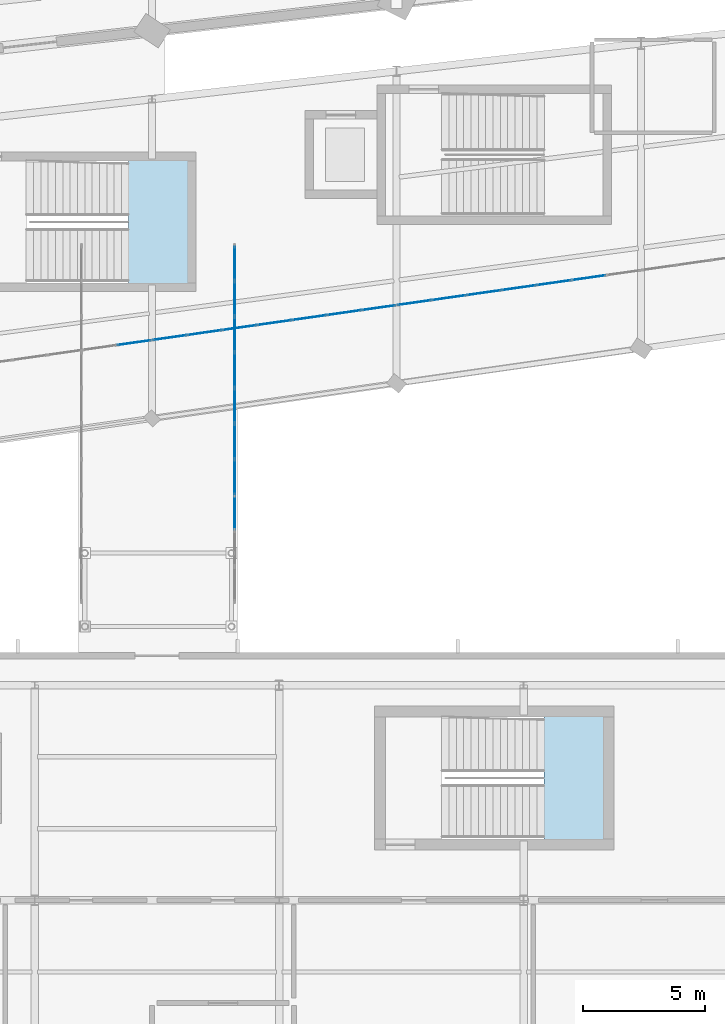
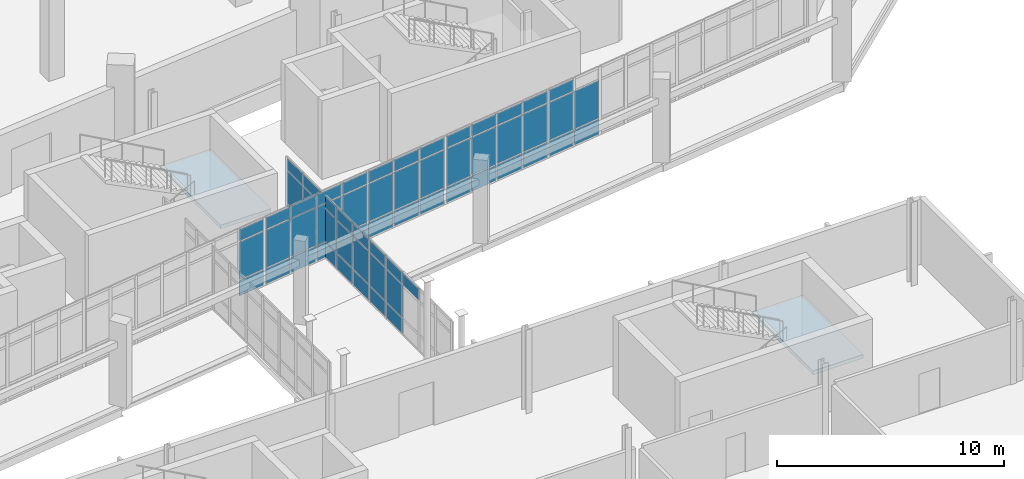
# One storey, part 90 of 122: 63 plates, 2 slabs, 6 elements without a shape of their own.
"""IFC4 building model written with IfcOpenShell, lengths in metres."""

from ifc_helpers import new_model, si_unit, direction, frame, origin, origin_2d, place, context, subcontext, project, spatial, polyline, rectangle, outline, extrude, material, layer, layer_set, type_object, element, aggregate, save


model = new_model("IFC4")

# Units and contexts
model_context = context("Model", 3, precision=1e-05, world=origin(), true_north=direction((0.0, 1.0)))
body_context = subcontext(model_context, "Body", "Model", "MODEL_VIEW")
ifc_project = project(units=[si_unit("LENGTHUNIT", "METRE"), si_unit("AREAUNIT", "SQUARE_METRE"), si_unit("VOLUMEUNIT", "CUBIC_METRE"), si_unit("PLANEANGLEUNIT", "RADIAN"), si_unit("MASSUNIT", "GRAM", prefix="KILO")], contexts=[model_context])

# Site, building, storey
site_placement = place(None, origin())
site = spatial("IfcSite", under=ifc_project, at=site_placement, CompositionType="ELEMENT")
building_placement = place(site_placement, origin())
building = spatial("IfcBuilding", under=site, at=building_placement, Name="Sohan Crest Arena", CompositionType="ELEMENT")
storey_placement = place(building_placement, origin())
storey = spatial("IfcBuildingStorey", under=building, at=storey_placement, Name="L00", CompositionType="ELEMENT", Elevation=0.0)

# Curtain wall, plates
ifc_material_1 = material(Name="Thermally broken anodised aluminium", Category="aluminium")
ifc_layer_1 = layer(ifc_material_1, 0.179931640625, Name="Thermally broken anodised aluminium")
ifc_layer_set_1 = layer_set([ifc_layer_1], Name="Thermally broken anodised aluminium")
curtain_wall_type_1 = type_object("IfcCurtainWallType", Name="ARC-CW01", PredefinedType="NOTDEFINED", material=ifc_layer_set_1)
curtain_wall_1_placement = place(storey_placement, origin())
curtain_wall_1 = element("IfcCurtainWall", 1, at=curtain_wall_1_placement, inside=storey, type_object=curtain_wall_type_1, Name="Unitised curtain wall CW-010", PredefinedType="NOTDEFINED")
ifc_material_2 = material(Name="Low-E double-glazed insulated glass", Category="glass")
ifc_layer_2 = layer(ifc_material_2, 0.028076171875, Name="Low-E double-glazed insulated glass")
ifc_layer_set_2 = layer_set([ifc_layer_2], Name="Low-E double-glazed insulated glass")
plate_type = type_object("IfcPlateType", Name="ARC-CNP01", PredefinedType="CURTAIN_PANEL", material=ifc_layer_set_2)
plate_1_placement = place(storey_placement, frame((137.270751953125, 38.809814453125, 0.06005859375), z_axis=(0.0, 0.0, 1.0), x_axis=(0.989957411768, 0.141365918403, 0.0)))
plate_1 = element("IfcPlate", 2, at=plate_1_placement, type_object=plate_type, Name="CW-010 panel 7.1", PredefinedType="CURTAIN_PANEL", context=body_context, shape_type="SweptSolid", body=[
    extrude(rectangle(XDim=1.35302734375, YDim=0.028076171875, at=origin_2d()), origin(), (0.0, 0.0, 1.0), 0.81005859375),
])
plate_2_placement = place(storey_placement, frame((137.270751953125, 38.809814453125, 0.929931640625), z_axis=(0.0, 0.0, 1.0), x_axis=(0.989957411768, 0.141365918403, 0.0)))
plate_2 = element("IfcPlate", 3, at=plate_2_placement, type_object=plate_type, Name="CW-010 panel 7.2", PredefinedType="CURTAIN_PANEL", context=body_context, shape_type="SweptSolid", body=[
    extrude(rectangle(XDim=1.35302734375, YDim=0.028076171875, at=origin_2d()), origin(), (0.0, 0.0, 1.0), 2.02001953125),
])
plate_3_placement = place(storey_placement, frame((137.270751953125, 38.809814453125, 3.009765625), z_axis=(0.0, 0.0, 1.0), x_axis=(0.989957411768, 0.141365918403, 0.0)))
plate_3 = element("IfcPlate", 4, at=plate_3_placement, type_object=plate_type, Name="CW-010 panel 7.3", PredefinedType="CURTAIN_PANEL", context=body_context, shape_type="SweptSolid", body=[
    extrude(rectangle(XDim=1.35302734375, YDim=0.028076171875, at=origin_2d()), origin(), (0.0, 0.0, 1.0), 0.610107421875),
])
aggregate(curtain_wall_1, [plate_1, plate_2, plate_3])

curtain_wall_2_placement = place(storey_placement, origin())
curtain_wall_2 = element("IfcCurtainWall", 5, at=curtain_wall_2_placement, inside=storey, type_object=curtain_wall_type_1, Name="Unitised curtain wall CW-011", PredefinedType="NOTDEFINED")
plate_4_placement = place(storey_placement, frame((138.729248046875, 39.018310546875, 0.06005859375), z_axis=(0.0, 0.0, 1.0), x_axis=(0.989943553128, 0.141462933734, 0.0)))
plate_4 = element("IfcPlate", 6, at=plate_4_placement, type_object=plate_type, Name="CW-011 panel 1.1", PredefinedType="CURTAIN_PANEL", context=body_context, shape_type="SweptSolid", body=[
    extrude(rectangle(XDim=1.35302734375, YDim=0.028076171875, at=origin_2d()), origin(), (0.0, 0.0, 1.0), 0.81005859375),
])
plate_5_placement = place(storey_placement, frame((138.729248046875, 39.018310546875, 0.929931640625), z_axis=(0.0, 0.0, 1.0), x_axis=(0.989943553128, 0.141462933734, 0.0)))
plate_5 = element("IfcPlate", 7, at=plate_5_placement, type_object=plate_type, Name="CW-011 panel 1.2", PredefinedType="CURTAIN_PANEL", context=body_context, shape_type="SweptSolid", body=[
    extrude(rectangle(XDim=1.35302734375, YDim=0.028076171875, at=origin_2d()), origin(), (0.0, 0.0, 1.0), 2.02001953125),
])
plate_6_placement = place(storey_placement, frame((138.729248046875, 39.018310546875, 3.009765625), z_axis=(0.0, 0.0, 1.0), x_axis=(0.989943553128, 0.141462933734, 0.0)))
plate_6 = element("IfcPlate", 8, at=plate_6_placement, type_object=plate_type, Name="CW-011 panel 1.3", PredefinedType="CURTAIN_PANEL", context=body_context, shape_type="SweptSolid", body=[
    extrude(rectangle(XDim=1.35302734375, YDim=0.028076171875, at=origin_2d()), origin(), (0.0, 0.0, 1.0), 0.610107421875),
])
plate_7_placement = place(storey_placement, frame((140.142822265625, 39.22021484375, 0.06005859375), z_axis=(0.0, 0.0, 1.0), x_axis=(0.989943553128, 0.141462933734, 0.0)))
plate_7 = element("IfcPlate", 9, at=plate_7_placement, type_object=plate_type, Name="CW-011 panel 2.1", PredefinedType="CURTAIN_PANEL", context=body_context, shape_type="SweptSolid", body=[
    extrude(rectangle(XDim=1.383056640625, YDim=0.028076171875, at=origin_2d()), origin(), (0.0, 0.0, 1.0), 0.81005859375),
])
plate_8_placement = place(storey_placement, frame((140.142822265625, 39.22021484375, 0.929931640625), z_axis=(0.0, 0.0, 1.0), x_axis=(0.989943553128, 0.141462933734, 0.0)))
plate_8 = element("IfcPlate", 10, at=plate_8_placement, type_object=plate_type, Name="CW-011 panel 2.2", PredefinedType="CURTAIN_PANEL", context=body_context, shape_type="SweptSolid", body=[
    extrude(rectangle(XDim=1.383056640625, YDim=0.028076171875, at=origin_2d()), origin(), (0.0, 0.0, 1.0), 2.02001953125),
])
plate_9_placement = place(storey_placement, frame((140.142822265625, 39.22021484375, 3.009765625), z_axis=(0.0, 0.0, 1.0), x_axis=(0.989943553128, 0.141462933734, 0.0)))
plate_9 = element("IfcPlate", 11, at=plate_9_placement, type_object=plate_type, Name="CW-011 panel 2.3", PredefinedType="CURTAIN_PANEL", context=body_context, shape_type="SweptSolid", body=[
    extrude(rectangle(XDim=1.383056640625, YDim=0.028076171875, at=origin_2d()), origin(), (0.0, 0.0, 1.0), 0.610107421875),
])
plate_10_placement = place(storey_placement, frame((141.571533203125, 39.42431640625, 0.06005859375), z_axis=(0.0, 0.0, 1.0), x_axis=(0.989943553128, 0.141462933734, 0.0)))
plate_10 = element("IfcPlate", 12, at=plate_10_placement, type_object=plate_type, Name="CW-011 panel 3.1", PredefinedType="CURTAIN_PANEL", context=body_context, shape_type="SweptSolid", body=[
    extrude(rectangle(XDim=1.383056640625, YDim=0.028076171875, at=origin_2d()), origin(), (0.0, 0.0, 1.0), 0.81005859375),
])
plate_11_placement = place(storey_placement, frame((141.571533203125, 39.42431640625, 0.929931640625), z_axis=(0.0, 0.0, 1.0), x_axis=(0.989943553128, 0.141462933734, 0.0)))
plate_11 = element("IfcPlate", 13, at=plate_11_placement, type_object=plate_type, Name="CW-011 panel 3.2", PredefinedType="CURTAIN_PANEL", context=body_context, shape_type="SweptSolid", body=[
    extrude(rectangle(XDim=1.383056640625, YDim=0.028076171875, at=origin_2d()), origin(), (0.0, 0.0, 1.0), 2.02001953125),
])
plate_12_placement = place(storey_placement, frame((141.571533203125, 39.42431640625, 3.009765625), z_axis=(0.0, 0.0, 1.0), x_axis=(0.989943553128, 0.141462933734, 0.0)))
plate_12 = element("IfcPlate", 14, at=plate_12_placement, type_object=plate_type, Name="CW-011 panel 3.3", PredefinedType="CURTAIN_PANEL", context=body_context, shape_type="SweptSolid", body=[
    extrude(rectangle(XDim=1.383056640625, YDim=0.028076171875, at=origin_2d()), origin(), (0.0, 0.0, 1.0), 0.610107421875),
])
plate_13_placement = place(storey_placement, frame((143.0, 39.62841796875, 0.06005859375), z_axis=(0.0, 0.0, 1.0), x_axis=(0.989943553128, 0.141462933734, 0.0)))
plate_13 = element("IfcPlate", 15, at=plate_13_placement, type_object=plate_type, Name="CW-011 panel 4.1", PredefinedType="CURTAIN_PANEL", context=body_context, shape_type="SweptSolid", body=[
    extrude(rectangle(XDim=1.383056640625, YDim=0.028076171875, at=origin_2d()), origin(), (0.0, 0.0, 1.0), 0.81005859375),
])
plate_14_placement = place(storey_placement, frame((143.0, 39.62841796875, 0.929931640625), z_axis=(0.0, 0.0, 1.0), x_axis=(0.989943553128, 0.141462933734, 0.0)))
plate_14 = element("IfcPlate", 16, at=plate_14_placement, type_object=plate_type, Name="CW-011 panel 4.2", PredefinedType="CURTAIN_PANEL", context=body_context, shape_type="SweptSolid", body=[
    extrude(rectangle(XDim=1.383056640625, YDim=0.028076171875, at=origin_2d()), origin(), (0.0, 0.0, 1.0), 2.02001953125),
])
plate_15_placement = place(storey_placement, frame((143.0, 39.62841796875, 3.009765625), z_axis=(0.0, 0.0, 1.0), x_axis=(0.989943553128, 0.141462933734, 0.0)))
plate_15 = element("IfcPlate", 17, at=plate_15_placement, type_object=plate_type, Name="CW-011 panel 4.3", PredefinedType="CURTAIN_PANEL", context=body_context, shape_type="SweptSolid", body=[
    extrude(rectangle(XDim=1.383056640625, YDim=0.028076171875, at=origin_2d()), origin(), (0.0, 0.0, 1.0), 0.610107421875),
])
plate_16_placement = place(storey_placement, frame((144.428466796875, 39.832763671875, 0.06005859375), z_axis=(0.0, 0.0, 1.0), x_axis=(0.989943553128, 0.141462933734, 0.0)))
plate_16 = element("IfcPlate", 18, at=plate_16_placement, type_object=plate_type, Name="CW-011 panel 5.1", PredefinedType="CURTAIN_PANEL", context=body_context, shape_type="SweptSolid", body=[
    extrude(rectangle(XDim=1.383056640625, YDim=0.028076171875, at=origin_2d()), origin(), (0.0, 0.0, 1.0), 0.81005859375),
])
plate_17_placement = place(storey_placement, frame((144.428466796875, 39.832763671875, 0.929931640625), z_axis=(0.0, 0.0, 1.0), x_axis=(0.989943553128, 0.141462933734, 0.0)))
plate_17 = element("IfcPlate", 19, at=plate_17_placement, type_object=plate_type, Name="CW-011 panel 5.2", PredefinedType="CURTAIN_PANEL", context=body_context, shape_type="SweptSolid", body=[
    extrude(rectangle(XDim=1.383056640625, YDim=0.028076171875, at=origin_2d()), origin(), (0.0, 0.0, 1.0), 2.02001953125),
])
plate_18_placement = place(storey_placement, frame((144.428466796875, 39.832763671875, 3.009765625), z_axis=(0.0, 0.0, 1.0), x_axis=(0.989943553128, 0.141462933734, 0.0)))
plate_18 = element("IfcPlate", 20, at=plate_18_placement, type_object=plate_type, Name="CW-011 panel 5.3", PredefinedType="CURTAIN_PANEL", context=body_context, shape_type="SweptSolid", body=[
    extrude(rectangle(XDim=1.383056640625, YDim=0.028076171875, at=origin_2d()), origin(), (0.0, 0.0, 1.0), 0.610107421875),
])
plate_19_placement = place(storey_placement, frame((145.857177734375, 40.036865234375, 0.06005859375), z_axis=(0.0, 0.0, 1.0), x_axis=(0.989943553128, 0.141462933734, 0.0)))
plate_19 = element("IfcPlate", 21, at=plate_19_placement, type_object=plate_type, Name="CW-011 panel 6.1", PredefinedType="CURTAIN_PANEL", context=body_context, shape_type="SweptSolid", body=[
    extrude(rectangle(XDim=1.383056640625, YDim=0.028076171875, at=origin_2d()), origin(), (0.0, 0.0, 1.0), 0.81005859375),
])
plate_20_placement = place(storey_placement, frame((145.857177734375, 40.036865234375, 0.929931640625), z_axis=(0.0, 0.0, 1.0), x_axis=(0.989943553128, 0.141462933734, 0.0)))
plate_20 = element("IfcPlate", 22, at=plate_20_placement, type_object=plate_type, Name="CW-011 panel 6.2", PredefinedType="CURTAIN_PANEL", context=body_context, shape_type="SweptSolid", body=[
    extrude(rectangle(XDim=1.383056640625, YDim=0.028076171875, at=origin_2d()), origin(), (0.0, 0.0, 1.0), 2.02001953125),
])
plate_21_placement = place(storey_placement, frame((145.857177734375, 40.036865234375, 3.009765625), z_axis=(0.0, 0.0, 1.0), x_axis=(0.989943553128, 0.141462933734, 0.0)))
plate_21 = element("IfcPlate", 23, at=plate_21_placement, type_object=plate_type, Name="CW-011 panel 6.3", PredefinedType="CURTAIN_PANEL", context=body_context, shape_type="SweptSolid", body=[
    extrude(rectangle(XDim=1.383056640625, YDim=0.028076171875, at=origin_2d()), origin(), (0.0, 0.0, 1.0), 0.610107421875),
])
plate_22_placement = place(storey_placement, frame((147.270751953125, 40.23876953125, 0.06005859375), z_axis=(0.0, 0.0, 1.0), x_axis=(0.989943553128, 0.141462933734, 0.0)))
plate_22 = element("IfcPlate", 24, at=plate_22_placement, type_object=plate_type, Name="CW-011 panel 7.1", PredefinedType="CURTAIN_PANEL", context=body_context, shape_type="SweptSolid", body=[
    extrude(rectangle(XDim=1.35302734375, YDim=0.028076171875, at=origin_2d()), origin(), (0.0, 0.0, 1.0), 0.81005859375),
])
plate_23_placement = place(storey_placement, frame((147.270751953125, 40.23876953125, 0.929931640625), z_axis=(0.0, 0.0, 1.0), x_axis=(0.989943553128, 0.141462933734, 0.0)))
plate_23 = element("IfcPlate", 25, at=plate_23_placement, type_object=plate_type, Name="CW-011 panel 7.2", PredefinedType="CURTAIN_PANEL", context=body_context, shape_type="SweptSolid", body=[
    extrude(rectangle(XDim=1.35302734375, YDim=0.028076171875, at=origin_2d()), origin(), (0.0, 0.0, 1.0), 2.02001953125),
])
plate_24_placement = place(storey_placement, frame((147.270751953125, 40.23876953125, 3.009765625), z_axis=(0.0, 0.0, 1.0), x_axis=(0.989943553128, 0.141462933734, 0.0)))
plate_24 = element("IfcPlate", 26, at=plate_24_placement, type_object=plate_type, Name="CW-011 panel 7.3", PredefinedType="CURTAIN_PANEL", context=body_context, shape_type="SweptSolid", body=[
    extrude(rectangle(XDim=1.35302734375, YDim=0.028076171875, at=origin_2d()), origin(), (0.0, 0.0, 1.0), 0.610107421875),
])
aggregate(curtain_wall_2, [plate_4, plate_5, plate_6, plate_7, plate_8, plate_9, plate_10, plate_11, plate_12, plate_13, plate_14, plate_15, plate_16, plate_17, plate_18, plate_19, plate_20, plate_21, plate_22, plate_23, plate_24])

curtain_wall_3_placement = place(storey_placement, origin())
curtain_wall_3 = element("IfcCurtainWall", 27, at=curtain_wall_3_placement, inside=storey, type_object=curtain_wall_type_1, Name="Unitised curtain wall CW-012", PredefinedType="NOTDEFINED")
plate_25_placement = place(storey_placement, frame((148.729248046875, 40.447021484375, 0.06005859375), z_axis=(0.0, 0.0, 1.0), x_axis=(0.989957411768, 0.141365918403, 0.0)))
plate_25 = element("IfcPlate", 28, at=plate_25_placement, type_object=plate_type, Name="CW-012 panel 1.1", PredefinedType="CURTAIN_PANEL", context=body_context, shape_type="SweptSolid", body=[
    extrude(rectangle(XDim=1.35302734375, YDim=0.028076171875, at=origin_2d()), origin(), (0.0, 0.0, 1.0), 0.81005859375),
])
plate_26_placement = place(storey_placement, frame((148.729248046875, 40.447021484375, 0.929931640625), z_axis=(0.0, 0.0, 1.0), x_axis=(0.989957411768, 0.141365918403, 0.0)))
plate_26 = element("IfcPlate", 29, at=plate_26_placement, type_object=plate_type, Name="CW-012 panel 1.2", PredefinedType="CURTAIN_PANEL", context=body_context, shape_type="SweptSolid", body=[
    extrude(rectangle(XDim=1.35302734375, YDim=0.028076171875, at=origin_2d()), origin(), (0.0, 0.0, 1.0), 2.02001953125),
])
plate_27_placement = place(storey_placement, frame((148.729248046875, 40.447021484375, 3.009765625), z_axis=(0.0, 0.0, 1.0), x_axis=(0.989957411768, 0.141365918403, 0.0)))
plate_27 = element("IfcPlate", 30, at=plate_27_placement, type_object=plate_type, Name="CW-012 panel 1.3", PredefinedType="CURTAIN_PANEL", context=body_context, shape_type="SweptSolid", body=[
    extrude(rectangle(XDim=1.35302734375, YDim=0.028076171875, at=origin_2d()), origin(), (0.0, 0.0, 1.0), 0.610107421875),
])
plate_28_placement = place(storey_placement, frame((150.142822265625, 40.64892578125, 0.06005859375), z_axis=(0.0, 0.0, 1.0), x_axis=(0.989957411768, 0.141365918403, 0.0)))
plate_28 = element("IfcPlate", 31, at=plate_28_placement, type_object=plate_type, Name="CW-012 panel 2.1", PredefinedType="CURTAIN_PANEL", context=body_context, shape_type="SweptSolid", body=[
    extrude(rectangle(XDim=1.383056640625, YDim=0.028076171875, at=origin_2d()), origin(), (0.0, 0.0, 1.0), 0.81005859375),
])
plate_29_placement = place(storey_placement, frame((150.142822265625, 40.64892578125, 0.929931640625), z_axis=(0.0, 0.0, 1.0), x_axis=(0.989957411768, 0.141365918403, 0.0)))
plate_29 = element("IfcPlate", 32, at=plate_29_placement, type_object=plate_type, Name="CW-012 panel 2.2", PredefinedType="CURTAIN_PANEL", context=body_context, shape_type="SweptSolid", body=[
    extrude(rectangle(XDim=1.383056640625, YDim=0.028076171875, at=origin_2d()), origin(), (0.0, 0.0, 1.0), 2.02001953125),
])
plate_30_placement = place(storey_placement, frame((150.142822265625, 40.64892578125, 3.009765625), z_axis=(0.0, 0.0, 1.0), x_axis=(0.989957411768, 0.141365918403, 0.0)))
plate_30 = element("IfcPlate", 33, at=plate_30_placement, type_object=plate_type, Name="CW-012 panel 2.3", PredefinedType="CURTAIN_PANEL", context=body_context, shape_type="SweptSolid", body=[
    extrude(rectangle(XDim=1.383056640625, YDim=0.028076171875, at=origin_2d()), origin(), (0.0, 0.0, 1.0), 0.610107421875),
])
plate_31_placement = place(storey_placement, frame((151.571533203125, 40.85302734375, 0.06005859375), z_axis=(0.0, 0.0, 1.0), x_axis=(0.989957411768, 0.141365918403, 0.0)))
plate_31 = element("IfcPlate", 34, at=plate_31_placement, type_object=plate_type, Name="CW-012 panel 3.1", PredefinedType="CURTAIN_PANEL", context=body_context, shape_type="SweptSolid", body=[
    extrude(rectangle(XDim=1.383056640625, YDim=0.028076171875, at=origin_2d()), origin(), (0.0, 0.0, 1.0), 0.81005859375),
])
plate_32_placement = place(storey_placement, frame((151.571533203125, 40.85302734375, 0.929931640625), z_axis=(0.0, 0.0, 1.0), x_axis=(0.989957411768, 0.141365918403, 0.0)))
plate_32 = element("IfcPlate", 35, at=plate_32_placement, type_object=plate_type, Name="CW-012 panel 3.2", PredefinedType="CURTAIN_PANEL", context=body_context, shape_type="SweptSolid", body=[
    extrude(rectangle(XDim=1.383056640625, YDim=0.028076171875, at=origin_2d()), origin(), (0.0, 0.0, 1.0), 2.02001953125),
])
plate_33_placement = place(storey_placement, frame((151.571533203125, 40.85302734375, 3.009765625), z_axis=(0.0, 0.0, 1.0), x_axis=(0.989957411768, 0.141365918403, 0.0)))
plate_33 = element("IfcPlate", 36, at=plate_33_placement, type_object=plate_type, Name="CW-012 panel 3.3", PredefinedType="CURTAIN_PANEL", context=body_context, shape_type="SweptSolid", body=[
    extrude(rectangle(XDim=1.383056640625, YDim=0.028076171875, at=origin_2d()), origin(), (0.0, 0.0, 1.0), 0.610107421875),
])
plate_34_placement = place(storey_placement, frame((153.0, 41.056884765625, 0.06005859375), z_axis=(0.0, 0.0, 1.0), x_axis=(0.989957411768, 0.141365918403, 0.0)))
plate_34 = element("IfcPlate", 37, at=plate_34_placement, type_object=plate_type, Name="CW-012 panel 4.1", PredefinedType="CURTAIN_PANEL", context=body_context, shape_type="SweptSolid", body=[
    extrude(rectangle(XDim=1.383056640625, YDim=0.028076171875, at=origin_2d()), origin(), (0.0, 0.0, 1.0), 0.81005859375),
])
plate_35_placement = place(storey_placement, frame((153.0, 41.056884765625, 0.929931640625), z_axis=(0.0, 0.0, 1.0), x_axis=(0.989957411768, 0.141365918403, 0.0)))
plate_35 = element("IfcPlate", 38, at=plate_35_placement, type_object=plate_type, Name="CW-012 panel 4.2", PredefinedType="CURTAIN_PANEL", context=body_context, shape_type="SweptSolid", body=[
    extrude(rectangle(XDim=1.383056640625, YDim=0.028076171875, at=origin_2d()), origin(), (0.0, 0.0, 1.0), 2.02001953125),
])
plate_36_placement = place(storey_placement, frame((153.0, 41.056884765625, 3.009765625), z_axis=(0.0, 0.0, 1.0), x_axis=(0.989957411768, 0.141365918403, 0.0)))
plate_36 = element("IfcPlate", 39, at=plate_36_placement, type_object=plate_type, Name="CW-012 panel 4.3", PredefinedType="CURTAIN_PANEL", context=body_context, shape_type="SweptSolid", body=[
    extrude(rectangle(XDim=1.383056640625, YDim=0.028076171875, at=origin_2d()), origin(), (0.0, 0.0, 1.0), 0.610107421875),
])
plate_37_placement = place(storey_placement, frame((154.428466796875, 41.260986328125, 0.06005859375), z_axis=(0.0, 0.0, 1.0), x_axis=(0.989957411768, 0.141365918403, 0.0)))
plate_37 = element("IfcPlate", 40, at=plate_37_placement, type_object=plate_type, Name="CW-012 panel 5.1", PredefinedType="CURTAIN_PANEL", context=body_context, shape_type="SweptSolid", body=[
    extrude(rectangle(XDim=1.383056640625, YDim=0.028076171875, at=origin_2d()), origin(), (0.0, 0.0, 1.0), 0.81005859375),
])
plate_38_placement = place(storey_placement, frame((154.428466796875, 41.260986328125, 0.929931640625), z_axis=(0.0, 0.0, 1.0), x_axis=(0.989957411768, 0.141365918403, 0.0)))
plate_38 = element("IfcPlate", 41, at=plate_38_placement, type_object=plate_type, Name="CW-012 panel 5.2", PredefinedType="CURTAIN_PANEL", context=body_context, shape_type="SweptSolid", body=[
    extrude(rectangle(XDim=1.383056640625, YDim=0.028076171875, at=origin_2d()), origin(), (0.0, 0.0, 1.0), 2.02001953125),
])
plate_39_placement = place(storey_placement, frame((154.428466796875, 41.260986328125, 3.009765625), z_axis=(0.0, 0.0, 1.0), x_axis=(0.989957411768, 0.141365918403, 0.0)))
plate_39 = element("IfcPlate", 42, at=plate_39_placement, type_object=plate_type, Name="CW-012 panel 5.3", PredefinedType="CURTAIN_PANEL", context=body_context, shape_type="SweptSolid", body=[
    extrude(rectangle(XDim=1.383056640625, YDim=0.028076171875, at=origin_2d()), origin(), (0.0, 0.0, 1.0), 0.610107421875),
])
plate_40_placement = place(storey_placement, frame((155.857177734375, 41.465087890625, 0.06005859375), z_axis=(0.0, 0.0, 1.0), x_axis=(0.989957411768, 0.141365918403, 0.0)))
plate_40 = element("IfcPlate", 43, at=plate_40_placement, type_object=plate_type, Name="CW-012 panel 6.1", PredefinedType="CURTAIN_PANEL", context=body_context, shape_type="SweptSolid", body=[
    extrude(rectangle(XDim=1.383056640625, YDim=0.028076171875, at=origin_2d()), origin(), (0.0, 0.0, 1.0), 0.81005859375),
])
plate_41_placement = place(storey_placement, frame((155.857177734375, 41.465087890625, 0.929931640625), z_axis=(0.0, 0.0, 1.0), x_axis=(0.989957411768, 0.141365918403, 0.0)))
plate_41 = element("IfcPlate", 44, at=plate_41_placement, type_object=plate_type, Name="CW-012 panel 6.2", PredefinedType="CURTAIN_PANEL", context=body_context, shape_type="SweptSolid", body=[
    extrude(rectangle(XDim=1.383056640625, YDim=0.028076171875, at=origin_2d()), origin(), (0.0, 0.0, 1.0), 2.02001953125),
])
aggregate(curtain_wall_3, [plate_25, plate_26, plate_27, plate_28, plate_29, plate_30, plate_31, plate_32, plate_33, plate_34, plate_35, plate_36, plate_37, plate_38, plate_39, plate_40, plate_41])

ifc_layer_3 = layer(ifc_material_1, 0.18994140625, Name="Thermally broken anodised aluminium")
ifc_layer_set_3 = layer_set([ifc_layer_3], Name="Thermally broken anodised aluminium")
curtain_wall_type_2 = type_object("IfcCurtainWallType", Name="ARC-CW05", PredefinedType="NOTDEFINED", material=ifc_layer_set_3)
curtain_wall_4_placement = place(storey_placement, origin())
curtain_wall_4 = element("IfcCurtainWall", 45, at=curtain_wall_4_placement, inside=storey, type_object=curtain_wall_type_2, Name="Unitised curtain wall CW-254", PredefinedType="NOTDEFINED")
plate_42_placement = place(storey_placement, frame((141.3798828125, 31.85009765625, 2.72998046875), z_axis=(0.0, 0.0, 1.0), x_axis=(0.0, 1.0, 0.0)))
plate_42 = element("IfcPlate", 46, at=plate_42_placement, type_object=plate_type, Name="CW-254 panel 3.3", PredefinedType="CURTAIN_PANEL", context=body_context, shape_type="SweptSolid", body=[
    extrude(rectangle(XDim=1.39501953125, YDim=0.028076171875, at=origin_2d()), origin(), (0.0, 0.0, 1.0), 0.610107421875),
])
plate_43_placement = place(storey_placement, frame((141.3798828125, 33.31005859375, 0.06005859375), z_axis=(0.0, 0.0, 1.0), x_axis=(0.0, 1.0, 0.0)))
plate_43 = element("IfcPlate", 47, at=plate_43_placement, type_object=plate_type, Name="CW-254 panel 4.1", PredefinedType="CURTAIN_PANEL", context=body_context, shape_type="SweptSolid", body=[
    extrude(rectangle(XDim=1.39501953125, YDim=0.028076171875, at=origin_2d()), origin(), (0.0, 0.0, 1.0), 0.81005859375),
])
plate_44_placement = place(storey_placement, frame((141.3798828125, 33.31005859375, 0.93017578125), z_axis=(0.0, 0.0, 1.0), x_axis=(0.0, 1.0, 0.0)))
plate_44 = element("IfcPlate", 48, at=plate_44_placement, type_object=plate_type, Name="CW-254 panel 4.2", PredefinedType="CURTAIN_PANEL", context=body_context, shape_type="SweptSolid", body=[
    extrude(rectangle(XDim=1.39501953125, YDim=0.028076171875, at=origin_2d()), origin(), (0.0, 0.0, 1.0), 1.739990234375),
])
plate_45_placement = place(storey_placement, frame((141.3798828125, 33.31005859375, 2.72998046875), z_axis=(0.0, 0.0, 1.0), x_axis=(0.0, 1.0, 0.0)))
plate_45 = element("IfcPlate", 49, at=plate_45_placement, type_object=plate_type, Name="CW-254 panel 4.3", PredefinedType="CURTAIN_PANEL", context=body_context, shape_type="SweptSolid", body=[
    extrude(rectangle(XDim=1.39501953125, YDim=0.028076171875, at=origin_2d()), origin(), (0.0, 0.0, 1.0), 0.610107421875),
])
plate_46_placement = place(storey_placement, frame((141.3798828125, 34.77001953125, 0.06005859375), z_axis=(0.0, 0.0, 1.0), x_axis=(0.0, 1.0, 0.0)))
plate_46 = element("IfcPlate", 50, at=plate_46_placement, type_object=plate_type, Name="CW-254 panel 5.1", PredefinedType="CURTAIN_PANEL", context=body_context, shape_type="SweptSolid", body=[
    extrude(rectangle(XDim=1.39501953125, YDim=0.028076171875, at=origin_2d()), origin(), (0.0, 0.0, 1.0), 0.81005859375),
])
plate_47_placement = place(storey_placement, frame((141.3798828125, 34.77001953125, 0.93017578125), z_axis=(0.0, 0.0, 1.0), x_axis=(0.0, 1.0, 0.0)))
plate_47 = element("IfcPlate", 51, at=plate_47_placement, type_object=plate_type, Name="CW-254 panel 5.2", PredefinedType="CURTAIN_PANEL", context=body_context, shape_type="SweptSolid", body=[
    extrude(rectangle(XDim=1.39501953125, YDim=0.028076171875, at=origin_2d()), origin(), (0.0, 0.0, 1.0), 1.739990234375),
])
plate_48_placement = place(storey_placement, frame((141.3798828125, 34.77001953125, 2.72998046875), z_axis=(0.0, 0.0, 1.0), x_axis=(0.0, 1.0, 0.0)))
plate_48 = element("IfcPlate", 52, at=plate_48_placement, type_object=plate_type, Name="CW-254 panel 5.3", PredefinedType="CURTAIN_PANEL", context=body_context, shape_type="SweptSolid", body=[
    extrude(rectangle(XDim=1.39501953125, YDim=0.028076171875, at=origin_2d()), origin(), (0.0, 0.0, 1.0), 0.610107421875),
])
plate_49_placement = place(storey_placement, frame((141.3798828125, 36.22998046875, 0.06005859375), z_axis=(0.0, 0.0, 1.0), x_axis=(0.0, 1.0, 0.0)))
plate_49 = element("IfcPlate", 53, at=plate_49_placement, type_object=plate_type, Name="CW-254 panel 6.1", PredefinedType="CURTAIN_PANEL", context=body_context, shape_type="SweptSolid", body=[
    extrude(rectangle(XDim=1.39501953125, YDim=0.028076171875, at=origin_2d()), origin(), (0.0, 0.0, 1.0), 0.81005859375),
])
plate_50_placement = place(storey_placement, frame((141.3798828125, 36.22998046875, 0.93017578125), z_axis=(0.0, 0.0, 1.0), x_axis=(0.0, 1.0, 0.0)))
plate_50 = element("IfcPlate", 54, at=plate_50_placement, type_object=plate_type, Name="CW-254 panel 6.2", PredefinedType="CURTAIN_PANEL", context=body_context, shape_type="SweptSolid", body=[
    extrude(rectangle(XDim=1.39501953125, YDim=0.028076171875, at=origin_2d()), origin(), (0.0, 0.0, 1.0), 1.739990234375),
])
plate_51_placement = place(storey_placement, frame((141.3798828125, 36.22998046875, 2.72998046875), z_axis=(0.0, 0.0, 1.0), x_axis=(0.0, 1.0, 0.0)))
plate_51 = element("IfcPlate", 55, at=plate_51_placement, type_object=plate_type, Name="CW-254 panel 6.3", PredefinedType="CURTAIN_PANEL", context=body_context, shape_type="SweptSolid", body=[
    extrude(rectangle(XDim=1.39501953125, YDim=0.028076171875, at=origin_2d()), origin(), (0.0, 0.0, 1.0), 0.610107421875),
])
plate_52_placement = place(storey_placement, frame((141.3798828125, 37.68994140625, 0.06005859375), z_axis=(0.0, 0.0, 1.0), x_axis=(0.0, 1.0, 0.0)))
plate_52 = element("IfcPlate", 56, at=plate_52_placement, type_object=plate_type, Name="CW-254 panel 7.1", PredefinedType="CURTAIN_PANEL", context=body_context, shape_type="SweptSolid", body=[
    extrude(rectangle(XDim=1.39501953125, YDim=0.028076171875, at=origin_2d()), origin(), (0.0, 0.0, 1.0), 0.81005859375),
])
plate_53_placement = place(storey_placement, frame((141.3798828125, 37.68994140625, 0.93017578125), z_axis=(0.0, 0.0, 1.0), x_axis=(0.0, 1.0, 0.0)))
plate_53 = element("IfcPlate", 57, at=plate_53_placement, type_object=plate_type, Name="CW-254 panel 7.2", PredefinedType="CURTAIN_PANEL", context=body_context, shape_type="SweptSolid", body=[
    extrude(rectangle(XDim=1.39501953125, YDim=0.028076171875, at=origin_2d()), origin(), (0.0, 0.0, 1.0), 1.739990234375),
])
plate_54_placement = place(storey_placement, frame((141.3798828125, 37.68994140625, 2.72998046875), z_axis=(0.0, 0.0, 1.0), x_axis=(0.0, 1.0, 0.0)))
plate_54 = element("IfcPlate", 58, at=plate_54_placement, type_object=plate_type, Name="CW-254 panel 7.3", PredefinedType="CURTAIN_PANEL", context=body_context, shape_type="SweptSolid", body=[
    extrude(rectangle(XDim=1.39501953125, YDim=0.028076171875, at=origin_2d()), origin(), (0.0, 0.0, 1.0), 0.610107421875),
])
plate_55_placement = place(storey_placement, frame((141.3798828125, 39.14990234375, 0.06005859375), z_axis=(0.0, 0.0, 1.0), x_axis=(0.0, 1.0, 0.0)))
plate_55 = element("IfcPlate", 59, at=plate_55_placement, type_object=plate_type, Name="CW-254 panel 8.1", PredefinedType="CURTAIN_PANEL", context=body_context, shape_type="SweptSolid", body=[
    extrude(rectangle(XDim=1.39501953125, YDim=0.028076171875, at=origin_2d()), origin(), (0.0, 0.0, 1.0), 0.81005859375),
])
plate_56_placement = place(storey_placement, frame((141.3798828125, 39.14990234375, 0.93017578125), z_axis=(0.0, 0.0, 1.0), x_axis=(0.0, 1.0, 0.0)))
plate_56 = element("IfcPlate", 60, at=plate_56_placement, type_object=plate_type, Name="CW-254 panel 8.2", PredefinedType="CURTAIN_PANEL", context=body_context, shape_type="SweptSolid", body=[
    extrude(rectangle(XDim=1.39501953125, YDim=0.028076171875, at=origin_2d()), origin(), (0.0, 0.0, 1.0), 1.739990234375),
])
plate_57_placement = place(storey_placement, frame((141.3798828125, 39.14990234375, 2.72998046875), z_axis=(0.0, 0.0, 1.0), x_axis=(0.0, 1.0, 0.0)))
plate_57 = element("IfcPlate", 61, at=plate_57_placement, type_object=plate_type, Name="CW-254 panel 8.3", PredefinedType="CURTAIN_PANEL", context=body_context, shape_type="SweptSolid", body=[
    extrude(rectangle(XDim=1.39501953125, YDim=0.028076171875, at=origin_2d()), origin(), (0.0, 0.0, 1.0), 0.610107421875),
])
plate_58_placement = place(storey_placement, frame((141.3798828125, 40.610107421875, 0.06005859375), z_axis=(0.0, 0.0, 1.0), x_axis=(0.0, 1.0, 0.0)))
plate_58 = element("IfcPlate", 62, at=plate_58_placement, type_object=plate_type, Name="CW-254 panel 9.1", PredefinedType="CURTAIN_PANEL", context=body_context, shape_type="SweptSolid", body=[
    extrude(rectangle(XDim=1.39501953125, YDim=0.028076171875, at=origin_2d()), origin(), (0.0, 0.0, 1.0), 0.81005859375),
])
plate_59_placement = place(storey_placement, frame((141.3798828125, 40.610107421875, 0.93017578125), z_axis=(0.0, 0.0, 1.0), x_axis=(0.0, 1.0, 0.0)))
plate_59 = element("IfcPlate", 63, at=plate_59_placement, type_object=plate_type, Name="CW-254 panel 9.2", PredefinedType="CURTAIN_PANEL", context=body_context, shape_type="SweptSolid", body=[
    extrude(rectangle(XDim=1.39501953125, YDim=0.028076171875, at=origin_2d()), origin(), (0.0, 0.0, 1.0), 1.739990234375),
])
plate_60_placement = place(storey_placement, frame((141.3798828125, 40.610107421875, 2.72998046875), z_axis=(0.0, 0.0, 1.0), x_axis=(0.0, 1.0, 0.0)))
plate_60 = element("IfcPlate", 64, at=plate_60_placement, type_object=plate_type, Name="CW-254 panel 9.3", PredefinedType="CURTAIN_PANEL", context=body_context, shape_type="SweptSolid", body=[
    extrude(rectangle(XDim=1.39501953125, YDim=0.028076171875, at=origin_2d()), origin(), (0.0, 0.0, 1.0), 0.610107421875),
])
plate_61_placement = place(storey_placement, frame((141.3798828125, 42.0537109375, 0.06005859375), z_axis=(0.0, 0.0, 1.0), x_axis=(0.0, 1.0, 0.0)))
plate_61 = element("IfcPlate", 65, at=plate_61_placement, type_object=plate_type, Name="CW-254 panel 10.1", PredefinedType="CURTAIN_PANEL", context=body_context, shape_type="SweptSolid", body=[
    extrude(rectangle(XDim=1.362548828125, YDim=0.028076171875, at=origin_2d()), origin(), (0.0, 0.0, 1.0), 0.81005859375),
])
plate_62_placement = place(storey_placement, frame((141.3798828125, 42.0537109375, 0.93017578125), z_axis=(0.0, 0.0, 1.0), x_axis=(0.0, 1.0, 0.0)))
plate_62 = element("IfcPlate", 66, at=plate_62_placement, type_object=plate_type, Name="CW-254 panel 10.2", PredefinedType="CURTAIN_PANEL", context=body_context, shape_type="SweptSolid", body=[
    extrude(rectangle(XDim=1.362548828125, YDim=0.028076171875, at=origin_2d()), origin(), (0.0, 0.0, 1.0), 1.739990234375),
])
plate_63_placement = place(storey_placement, frame((141.3798828125, 42.0537109375, 2.72998046875), z_axis=(0.0, 0.0, 1.0), x_axis=(0.0, 1.0, 0.0)))
plate_63 = element("IfcPlate", 67, at=plate_63_placement, type_object=plate_type, Name="CW-254 panel 10.3", PredefinedType="CURTAIN_PANEL", context=body_context, shape_type="SweptSolid", body=[
    extrude(rectangle(XDim=1.362548828125, YDim=0.028076171875, at=origin_2d()), origin(), (0.0, 0.0, 1.0), 0.610107421875),
])
aggregate(curtain_wall_4, [plate_42, plate_43, plate_44, plate_45, plate_46, plate_47, plate_48, plate_49, plate_50, plate_51, plate_52, plate_53, plate_54, plate_55, plate_56, plate_57, plate_58, plate_59, plate_60, plate_61, plate_62, plate_63])

# Stair, slab
ifc_material_3 = material(Name="Concrete C40/50", Category="concrete")
stair_type = type_object("IfcStairType", Name="ST-450W", PredefinedType="TWO_STRAIGHT_RUN_STAIR", material=ifc_material_3)
stair_1_placement = place(storey_placement, origin())
stair_1 = element("IfcStair", 68, at=stair_1_placement, inside=storey, type_object=stair_type, Name="Protected exit stair ST11-L00", PredefinedType="TWO_STRAIGHT_RUN_STAIR")
ifc_layer_4 = layer(ifc_material_3, 0.199951171875, Name="Concrete C40/50")
ifc_layer_set_4 = layer_set([ifc_layer_4], Name="Concrete C40/50")
slab_type = type_object("IfcSlabType", Name="SL-LND1", PredefinedType="LANDING", material=ifc_layer_set_4)
slab_1_placement = place(storey_placement, frame((0.0, 0.0, 2.050048828125)))
slab_1 = element("IfcSlab", 69, at=slab_1_placement, type_object=slab_type, Name="ST11-L00 landing 1", PredefinedType="LANDING", context=body_context, shape_type="SweptSolid", body=[
    extrude(outline(polyline([(154.030029296875, 18.35009765625), (156.60009765625, 18.35009765625), (156.60009765625, 23.64990234375), (154.030029296875, 23.64990234375), (154.030029296875, 18.35009765625)])), origin(), (0.0, 0.0, 1.0), 0.199951171875),
])
aggregate(stair_1, [slab_1])

stair_2_placement = place(storey_placement, origin())
stair_2 = element("IfcStair", 70, at=stair_2_placement, inside=storey, type_object=stair_type, Name="Protected exit stair ST21-L00", PredefinedType="TWO_STRAIGHT_RUN_STAIR")
slab_2_placement = place(storey_placement, frame((0.0, 0.0, 2.050048828125)))
slab_2 = element("IfcSlab", 71, at=slab_2_placement, type_object=slab_type, Name="ST21-L00 landing 1", PredefinedType="LANDING", context=body_context, shape_type="SweptSolid", body=[
    extrude(outline(polyline([(137.030029296875, 41.10009765625), (139.60009765625, 41.10009765625), (139.60009765625, 46.39990234375), (137.030029296875, 46.39990234375), (137.030029296875, 41.10009765625)])), origin(), (0.0, 0.0, 1.0), 0.199951171875),
])
aggregate(stair_2, [slab_2])

save(model, "model.ifc")
